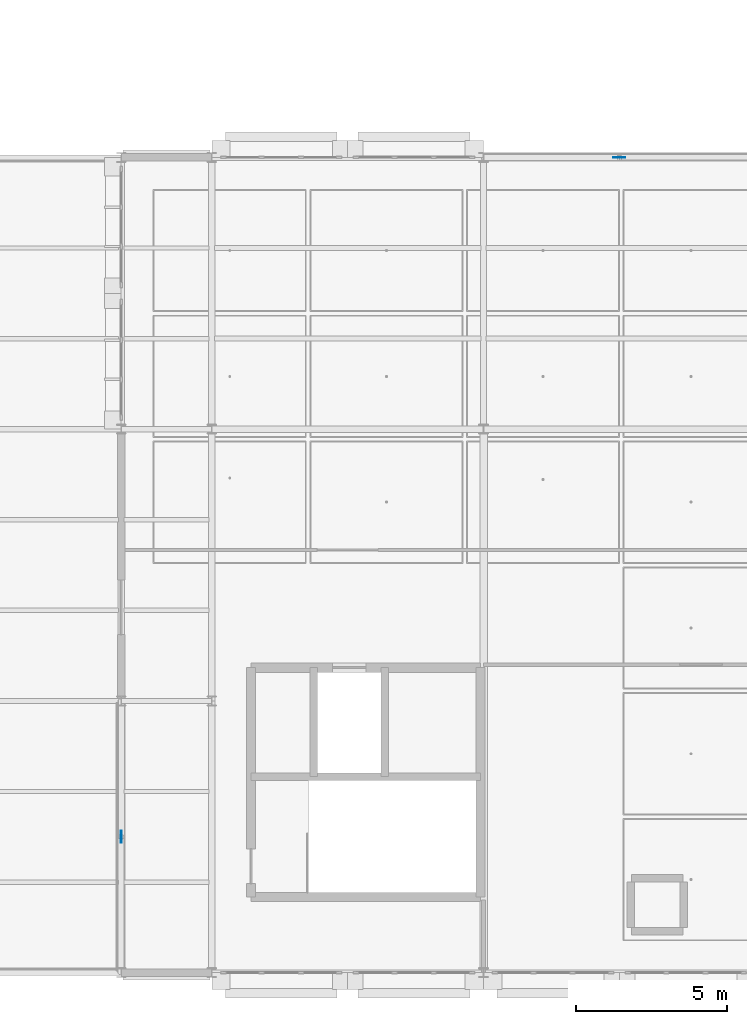
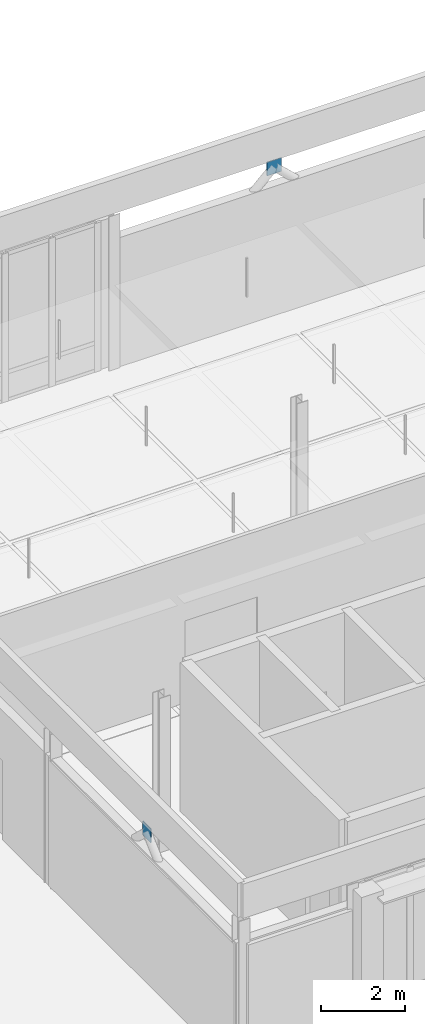
# One storey, part 43 of 89: 2 plates.
"""IFC4 building model written with IfcOpenShell, lengths in metres."""

import ifcopenshell
import ifcopenshell.guid

model = None  # the IFC model being written
_history = None  # IfcOwnerHistory: only IFC2X3 demands one
_inside = {}  # id of a spatial element -> (the spatial element, [elements in it])
_under = {}  # id of a project, library or spatial element -> (it, [spatial elements below it])
_declared = {}  # id of a project -> (the project, [libraries it declares])
_typed = {}  # id of a type object -> (the type object, [elements of that type])
_made_of = {}  # id of a material, layer set ... -> (it, [elements and type objects made of it])


def new_model(schema):
    """Start an empty IFC model of exactly this schema.

    Asked for "IFC4X3", IfcOpenShell would pick the latest addendum, in which some entities
    have other attributes; the version numbers below select the first issue.
    IFC2X3 requires an IfcOwnerHistory on every rooted entity: one is made here for all.
    """
    global model, _history
    if schema == "IFC4X3":
        model = ifcopenshell.file(schema_version=(4, 3, 0, 0))
    else:
        model = ifcopenshell.file(schema=schema)
    _inside.clear()
    _under.clear()
    _declared.clear()
    _typed.clear()
    _made_of.clear()
    _history = None
    if model.schema == "IFC2X3":
        org = make("IfcOrganization", Name="unknown")
        user = make(
            "IfcPersonAndOrganization",
            ThePerson=make("IfcPerson", FamilyName="unknown"),
            TheOrganization=org,
        )
        app = make(
            "IfcApplication",
            ApplicationDeveloper=org,
            Version="unknown",
            ApplicationFullName="unknown",
            ApplicationIdentifier="unknown",
        )
        _history = make(
            "IfcOwnerHistory",
            OwningUser=user,
            OwningApplication=app,
            ChangeAction="ADDED",
            CreationDate=0,
        )
    return model


def make(cls, **values):
    """One entity of the class cls with the attributes given. An attribute that is None is left unset."""
    return model.create_entity(
        cls, **{name: value for name, value in values.items() if value is not None}
    )


def rooted(cls, **values):
    """An entity with a GlobalId (a new one), such as an element, a storey or a relation."""
    return make(cls, GlobalId=ifcopenshell.guid.new(), OwnerHistory=_history, **values)


def si_unit(unit_type, name, prefix=None):
    """IfcSIUnit, for example si_unit("LENGTHUNIT", "METRE", prefix="MILLI")."""
    return make("IfcSIUnit", UnitType=unit_type, Prefix=prefix, Name=name)


def assignment(units):
    """IfcUnitAssignment: the units of a project."""
    return None if units is None else make("IfcUnitAssignment", Units=units)


def point(xyz):
    """IfcCartesianPoint."""
    return None if xyz is None else make("IfcCartesianPoint", Coordinates=xyz)


def direction(xyz):
    """IfcDirection."""
    return None if xyz is None else make("IfcDirection", DirectionRatios=xyz)


def frame(location, z_axis=None, x_axis=None):
    """IfcAxis2Placement3D, a coordinate frame: its origin and axes. An axis left out is left unset."""
    return make(
        "IfcAxis2Placement3D",
        Location=point(location),
        Axis=direction(z_axis),
        RefDirection=direction(x_axis),
    )


def frame_2d(location, x_axis=None):
    """IfcAxis2Placement2D, a coordinate frame in the plane: its origin and x axis."""
    return make(
        "IfcAxis2Placement2D", Location=point(location), RefDirection=direction(x_axis)
    )


def origin():
    """The frame at (0, 0, 0) with its axes left unset."""
    return frame((0.0, 0.0, 0.0))


def origin_2d():
    """The frame at (0, 0) in the plane with its x axis left unset."""
    return frame_2d((0.0, 0.0))


def place(relative_to, where):
    """IfcLocalPlacement: puts the frame where relative to a parent placement (None: the world)."""
    return make(
        "IfcLocalPlacement", PlacementRelTo=relative_to, RelativePlacement=where
    )


def context(
    kind, dimensions, precision=None, world=None, true_north=None, identifier=None
):
    """IfcGeometricRepresentationContext, for example the 3D "Model" context."""
    return make(
        "IfcGeometricRepresentationContext",
        ContextIdentifier=identifier,
        ContextType=kind,
        CoordinateSpaceDimension=dimensions,
        Precision=precision,
        WorldCoordinateSystem=world,
        TrueNorth=true_north,
    )


def subcontext(parent, identifier, kind, view, scale=None):
    """IfcGeometricRepresentationSubContext, for example "Body" below "Model"."""
    return make(
        "IfcGeometricRepresentationSubContext",
        ContextIdentifier=identifier,
        ContextType=kind,
        ParentContext=parent,
        TargetScale=scale,
        TargetView=view,
    )


def project(units=None, contexts=None):
    """IfcProject with its units and contexts."""
    return rooted(
        "IfcProject",
        Name="project",
        RepresentationContexts=contexts,
        UnitsInContext=assignment(units),
    )


def spatial(cls, under=None, at=None, **own):
    """A site, building, storey or space (cls), placed at a placement, below another one or the project."""
    s = rooted(cls, ObjectPlacement=at, **own)
    if under is not None:
        _under.setdefault(under.id(), (under, []))[1].append(s)
    return s


def profile(cls, at=None, kind="AREA", **sizes):
    """A parametric profile (cls). Its sizes go by their IFC names, for example OverallWidth=200.0."""
    return make(cls, ProfileType=kind, Position=at, **sizes)


def rectangle(**sizes):
    """IfcRectangleProfileDef."""
    return profile("IfcRectangleProfileDef", **sizes)


def extrude(swept, where, along, depth):
    """IfcExtrudedAreaSolid: the profile swept, set in the frame where, extruded along a direction by depth."""
    return make(
        "IfcExtrudedAreaSolid",
        SweptArea=swept,
        Position=where,
        ExtrudedDirection=direction(along),
        Depth=depth,
    )


def shape(context_of_items, identifier, shape_type, items):
    """IfcShapeRepresentation: the items that make up one representation, for example the "Body"."""
    return make(
        "IfcShapeRepresentation",
        ContextOfItems=context_of_items,
        RepresentationIdentifier=identifier,
        RepresentationType=shape_type,
        Items=items,
    )


def material(Name=None, Category=None):
    """IfcMaterial."""
    return make("IfcMaterial", Name=Name, Category=Category)


def layer(
    of_material, thickness, ventilated=None, Name=None, Category=None, Priority=None
):
    """IfcMaterialLayer: one layer of a wall or slab, of a material (None: an air gap)."""
    return make(
        "IfcMaterialLayer",
        Material=of_material,
        LayerThickness=thickness,
        IsVentilated=ventilated,
        Name=Name,
        Category=Category,
        Priority=Priority,
    )


def layer_set(layers, Name=None):
    """IfcMaterialLayerSet."""
    return make("IfcMaterialLayerSet", MaterialLayers=layers, LayerSetName=Name)


def made_of(thing, what):
    """Note that an element or type object is made of a material, layer set ...; save() writes the relation."""
    if what is not None:
        _made_of.setdefault(what.id(), (what, []))[1].append(thing)
    return thing


def type_object(cls, material=None, **own):
    """A type object (cls), such as IfcWallType, which elements share."""
    return made_of(rooted(cls, **own), material)


def element(
    cls,
    number,
    at=None,
    inside=None,
    cuts=None,
    type_object=None,
    material=None,
    context=None,
    identifier="Body",
    shape_type=None,
    held_by="IfcProductDefinitionShape",
    body=None,
    shapes=None,
    **own,
):
    """One element of the class cls, such as IfcWall. Its Tag is "e" and its number.

    at: its placement. inside: the storey or other place that contains it. cuts: it is an
    opening in that element (IfcRelVoidsElement). A single representation is given by context,
    identifier, shape_type and body (its items); several are given by shapes. held_by: the class
    of the entity that holds the representations. save() writes the other relations.
    """
    e = rooted(cls, Tag="e%d" % number, ObjectPlacement=at, **own)
    if body is not None:
        shapes = [shape(context, identifier, shape_type, body)]
    if shapes is not None:
        e.Representation = make(held_by, Representations=shapes)
    if inside is not None:
        _inside.setdefault(inside.id(), (inside, []))[1].append(e)
    if cuts is not None:
        rooted(
            "IfcRelVoidsElement", RelatingBuildingElement=cuts, RelatedOpeningElement=e
        )
    if type_object is not None:
        _typed.setdefault(type_object.id(), (type_object, []))[1].append(e)
    return made_of(e, material)


def aggregate(whole, parts):
    """IfcRelAggregates: a whole, such as a stair, and the parts it consists of."""
    return rooted("IfcRelAggregates", RelatingObject=whole, RelatedObjects=parts)


def save(model, path):
    """Write the relations noted so far, then the file.

    IfcRelAggregates (storeys below a building ...), IfcRelContainedInSpatialStructure (elements
    in a storey), IfcRelDefinesByType, IfcRelAssociatesMaterial and IfcRelDeclares: one each for
    every whole, place, type object, material and project.
    """
    for whole, parts in _under.values():
        aggregate(whole, parts)
    for where, things in _inside.values():
        rooted(
            "IfcRelContainedInSpatialStructure",
            RelatedElements=things,
            RelatingStructure=where,
        )
    for kind, things in _typed.values():
        rooted("IfcRelDefinesByType", RelatedObjects=things, RelatingType=kind)
    for what, things in _made_of.values():
        rooted("IfcRelAssociatesMaterial", RelatedObjects=things, RelatingMaterial=what)
    for by, libraries in _declared.values():
        rooted("IfcRelDeclares", RelatingContext=by, RelatedDefinitions=libraries)
    model.write(path)


model = new_model("IFC4")

# Units and contexts
model_context = context("Model", 3, precision=1e-05, world=origin(), true_north=direction((0.0, 1.0)))
body_context = subcontext(model_context, "Body", "Model", "MODEL_VIEW")
ifc_project = project(units=[si_unit("LENGTHUNIT", "METRE"), si_unit("AREAUNIT", "SQUARE_METRE"), si_unit("VOLUMEUNIT", "CUBIC_METRE"), si_unit("PLANEANGLEUNIT", "RADIAN"), si_unit("MASSUNIT", "GRAM", prefix="KILO"), si_unit("THERMODYNAMICTEMPERATUREUNIT", "KELVIN"), si_unit("POWERUNIT", "WATT")], contexts=[model_context])

# Site, building, storey
site_placement = place(None, origin())
site = spatial("IfcSite", under=ifc_project, at=site_placement, CompositionType="ELEMENT")
building_placement = place(site_placement, origin())
building = spatial("IfcBuilding", under=site, at=building_placement, Name="Tallowbark Science Centre", CompositionType="ELEMENT")
storey_placement = place(building_placement, frame((0.0, 0.0, 14.39990234375)))
storey = spatial("IfcBuildingStorey", under=building, at=storey_placement, Name="L03", CompositionType="ELEMENT", Elevation=14.39990234375)

# Plates
ifc_material = material(Name="Structural Steel Grade 300PLUS (300 MPa)", Category="steel")
ifc_layer = layer(ifc_material, 0.02001953125)
ifc_layer_set = layer_set([ifc_layer], Name="Structural Steel Grade 300PLUS (300 MPa)")
plate_type = type_object("IfcPlateType", Name="PLT-GUS-20", PredefinedType="SHEET", material=ifc_layer_set)
for number, where, z_axis, x_axis, name in (
    (1, (69.0, 76.5, 4.050048828125), (0.0, 0.0, 1.0), (0.0, 1.0, 0.0), "Chevron Brace Apex Gusset CBF-LAB-W1B L03"),
    (2, (85.5, 99.0, 4.050048828125), (0.0, 0.0, 1.0), (1.0, 0.0, 0.0), "Chevron Brace Apex Gusset CBF-LAB-N1 L03"),
):
    element("IfcPlate", number, at=place(storey_placement, frame(where, z_axis=z_axis, x_axis=x_axis)), inside=storey, type_object=plate_type, Name=name, PredefinedType="SHEET", context=body_context, shape_type="SweptSolid", body=[
        extrude(rectangle(XDim=0.39990234375, YDim=0.02001953125, at=origin_2d()), origin(), (0.0, 0.0, 1.0), 0.39990234375),
    ])

save(model, "model.ifc")
